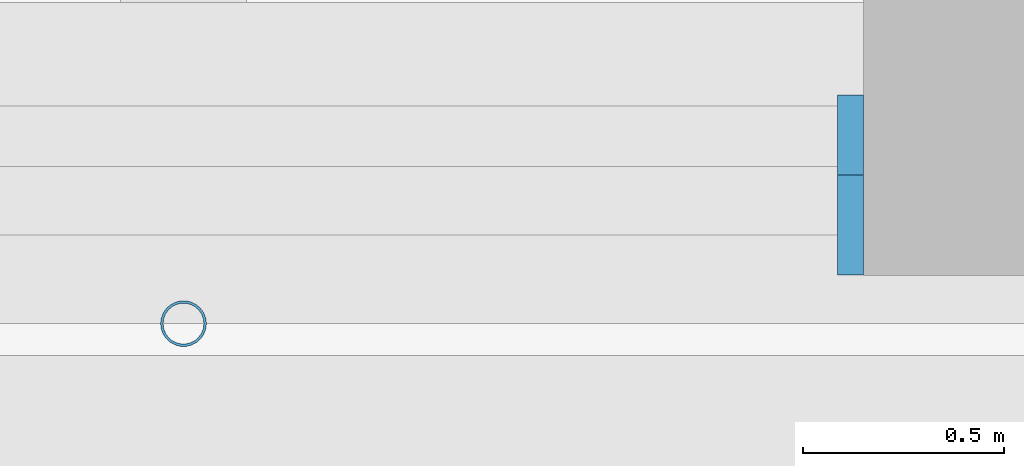
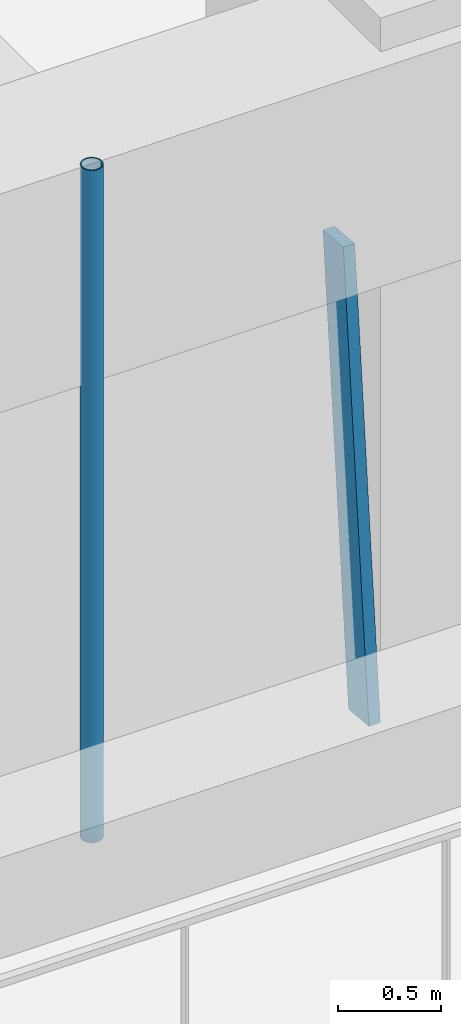
# One storey, part 4 of 23: 2 members, 1 element without a shape of its own.
"""IFC4 building model written with IfcOpenShell, lengths in metres."""

from ifc_helpers import new_model, si_unit, direction, frame, origin, origin_2d, place, context, subcontext, project, spatial, rectangle, hollow_circle, extrude, material, material_profile, profile_set, type_object, element, aggregate, save


model = new_model("IFC4")

# Units and contexts
model_context = context("Model", 3, precision=1e-05, world=origin(), true_north=direction((0.0, 1.0)))
body_context = subcontext(model_context, "Body", "Model", "MODEL_VIEW")
ifc_project = project(units=[si_unit("LENGTHUNIT", "METRE"), si_unit("AREAUNIT", "SQUARE_METRE"), si_unit("VOLUMEUNIT", "CUBIC_METRE"), si_unit("PLANEANGLEUNIT", "RADIAN"), si_unit("MASSUNIT", "GRAM", prefix="KILO")], contexts=[model_context])

# Site, building, storey
site_placement = place(None, origin())
site = spatial("IfcSite", under=ifc_project, at=site_placement, CompositionType="ELEMENT")
building_placement = place(site_placement, origin())
building = spatial("IfcBuilding", under=site, at=building_placement, Name="Tarfa Lantern Tower", CompositionType="ELEMENT")
storey_placement = place(building_placement, frame((0.0, 0.0, 78.10009765625)))
storey = spatial("IfcBuildingStorey", under=building, at=storey_placement, Name="L17", CompositionType="ELEMENT", Elevation=78.10009765625)

# Curtain wall, member
ifc_material_1 = material(Name="Aluminium framed curtain wall", Category="aluminium")
curtain_wall_type = type_object("IfcCurtainWallType", Name="CW1 CANTED GLAZING LOW ZONE 2700", PredefinedType="USERDEFINED", material=ifc_material_1)
curtain_wall_placement = place(storey_placement, origin())
curtain_wall = element("IfcCurtainWall", 1, at=curtain_wall_placement, inside=storey, type_object=curtain_wall_type, Name="CW1 S L17", ObjectType="CURTAIN WALL", PredefinedType="USERDEFINED")
ifc_material_2 = material(Name="Aluminium mullion", Category="aluminium")
ifc_material_profile_1 = material_profile(ifc_material_2, rectangle(XDim=0.06494140625, YDim=0.199951171875, at=origin_2d()), Name="AL MULLION 65x200")
ifc_profile_set_1 = profile_set([ifc_material_profile_1], Name="Aluminium mullion")
member_type_1 = type_object("IfcMemberType", Name="CWM1 MULLION 65x200", PredefinedType="MULLION", material=ifc_profile_set_1)
member_1_placement = place(storey_placement, frame((9.74462890625, -33.89990234375, 0.0), z_axis=(0.0, 0.092199863775, 0.995740520979), x_axis=(-1.0, 0.0, 0.0)))
member_1 = element("IfcMember", 2, at=member_1_placement, type_object=member_type_1, Name="CW1 mullion 2", PredefinedType="MULLION", context=body_context, shape_type="SweptSolid", body=[
    extrude(rectangle(XDim=0.06494140625, YDim=0.199951171875, at=origin_2d()), origin(), (0.0, 0.0, 1.0), 2.71142578125),
])
aggregate(curtain_wall, [member_1])

# Member
ifc_material_3 = material(Name="Steel S355", Category="steel")
ifc_material_profile_2 = material_profile(ifc_material_3, hollow_circle(Radius=0.05712890625, WallThickness=0.00634765625, at=origin_2d()), Name="CHS114.3x6.3")
ifc_profile_set_2 = profile_set([ifc_material_profile_2], Name="Steel S355")
member_type_2 = type_object("IfcMemberType", Name="TR1 GREEN WALL TRELLIS CHS114.3x6.3", PredefinedType="USERDEFINED", material=ifc_profile_set_2)
member_2_placement = place(storey_placement, frame((8.0830078125, -34.1201171875, 0.0), z_axis=(0.0, 0.0, 1.0), x_axis=(1.0, 0.0, 0.0)))
element("IfcMember", 3, at=member_2_placement, inside=storey, type_object=member_type_2, Name="Trellis post S 2", ObjectType="TRELLIS", PredefinedType="USERDEFINED", context=body_context, shape_type="SweptSolid", body=[
    extrude(hollow_circle(Radius=0.05712890625, WallThickness=0.00634765625, at=origin_2d()), origin(), (0.0, 0.0, 1.0), 4.0),
])

save(model, "model.ifc")
